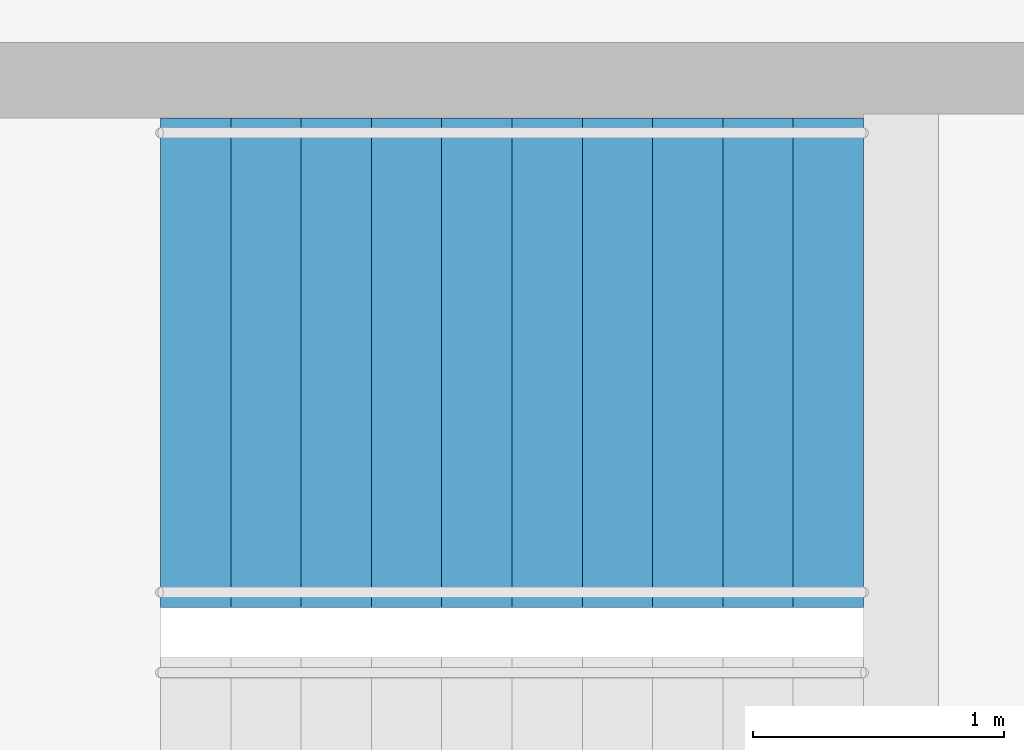
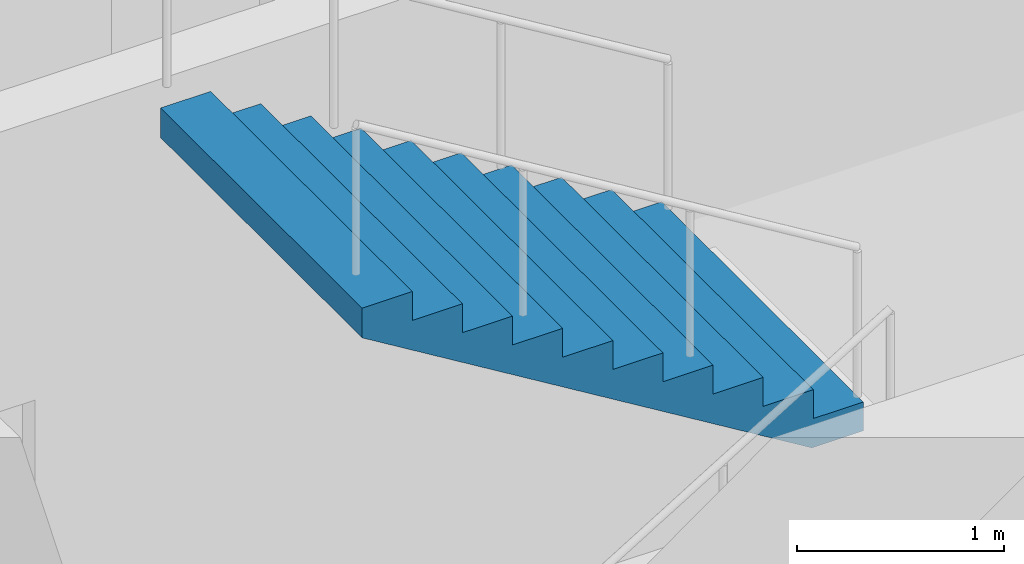
# One storey, part 21 of 24: 1 stair flight, 1 element without a shape of its own.
"""IFC4 building model written with IfcOpenShell, lengths in metres."""

from ifc_helpers import new_model, si_unit, direction, frame, origin, place, context, subcontext, project, spatial, triangles, material, type_object, element, aggregate, save


model = new_model("IFC4")

# Units and contexts
model_context = context("Model", 3, precision=1e-05, world=origin(), true_north=direction((0.0, 1.0)))
body_context = subcontext(model_context, "Body", "Model", "MODEL_VIEW")
ifc_project = project(units=[si_unit("LENGTHUNIT", "METRE"), si_unit("AREAUNIT", "SQUARE_METRE"), si_unit("VOLUMEUNIT", "CUBIC_METRE"), si_unit("PLANEANGLEUNIT", "RADIAN"), si_unit("MASSUNIT", "GRAM", prefix="KILO")], contexts=[model_context])

# Site, building, storey
site_placement = place(None, origin())
site = spatial("IfcSite", under=ifc_project, at=site_placement, CompositionType="ELEMENT")
building_placement = place(site_placement, origin())
building = spatial("IfcBuilding", under=site, at=building_placement, Name="Orbita Commons", CompositionType="ELEMENT")
storey_placement = place(building_placement, frame((0.0, 0.0, 242.800048828125)))
storey = spatial("IfcBuildingStorey", under=building, at=storey_placement, Name="L60", CompositionType="ELEMENT", Elevation=242.800048828125)

# Stair, stair flight
ifc_material_1 = material(Name="Precast concrete C40/50", Category="concrete")
stair_type = type_object("IfcStairType", Name="Exit stair S1 2 flights 11 risers 170", PredefinedType="HALF_TURN_STAIR", material=ifc_material_1)
stair_placement = place(storey_placement, origin())
stair = element("IfcStair", 1, at=stair_placement, inside=storey, type_object=stair_type, Name="Exit stair S1 L60", PredefinedType="HALF_TURN_STAIR")
ifc_material_2 = material(Name="Precast concrete C40/50", Category="concrete")
stair_flight_type = type_object("IfcStairFlightType", Name="Stair flight 11 risers 170 x 280", PredefinedType="STRAIGHT", material=ifc_material_2)
stair_flight_placement = place(storey_placement, frame((23.25, 29.27490234375, 1.875), z_axis=(0.0, 0.0, 1.0), x_axis=(-1.0, 0.0, 0.0)))
stair_flight = element("IfcStairFlight", 2, at=stair_flight_placement, type_object=stair_flight_type, Name="S1 flight 2", NumberOfRisers=11, NumberOfTreads=10, PredefinedType="STRAIGHT", RiserHeight=0.170454545, TreadLength=0.28, context=body_context, shape_type="Tessellation", body=[
    triangles([(0.0, 0.974976, 0.0), (0.0, 0.974976, 0.021307), (0.0, 0.81248, 0.021307), (0.0, 0.81248, 0.0), (0.0, 0.649984, 0.021307), (0.0, 0.649984, 0.0), (0.0, 0.487488, 0.021307), (0.0, 0.487488, 0.0), (0.0, 0.324992, 0.021307), (0.0, 0.324992, 0.0), (0.0, 0.162496, 0.021307), (0.0, 0.162496, 0.0), (0.0, 0.0, 0.021307), (0.0, 0.0, 0.0), (0.0, -0.162496, 0.021307), (0.0, -0.162496, 0.0), (0.0, -0.324992, 0.021307), (0.0, -0.324992, 0.0), (0.0, -0.487488, 0.021307), (0.0, -0.487488, 0.0), (0.0, -0.649984, 0.021307), (0.0, -0.649984, 0.0), (0.0, -0.81248, 0.021307), (0.0, -0.81248, 0.0), (0.0, -0.974976, 0.021307), (0.0, -0.974976, 0.0), (0.0, 0.974976, 0.042614), (0.0, 0.81248, 0.042614), (0.0, 0.649984, 0.042614), (0.0, 0.487488, 0.042614), (0.0, 0.324992, 0.042614), (0.0, 0.162496, 0.042614), (0.0, 0.0, 0.042614), (0.0, -0.162496, 0.042614), (0.0, -0.324992, 0.042614), (0.0, -0.487488, 0.042614), (0.0, -0.649984, 0.042614), (0.0, -0.81248, 0.042614), (0.0, -0.974976, 0.042614), (0.0, 0.974976, 0.06392), (0.0, 0.81248, 0.06392), (0.0, 0.649984, 0.06392), (0.0, 0.487488, 0.06392), (0.0, 0.324992, 0.06392), (0.0, 0.162496, 0.06392), (0.0, 0.0, 0.06392), (0.0, -0.162496, 0.06392), (0.0, -0.324992, 0.06392), (0.0, -0.487488, 0.06392), (0.0, -0.649984, 0.06392), (0.0, -0.81248, 0.06392), (0.0, -0.974976, 0.06392), (0.0, 0.974976, 0.085227), (0.0, 0.81248, 0.085227), (0.0, 0.649984, 0.085227), (0.0, 0.487488, 0.085227), (0.0, 0.324992, 0.085227), (0.0, 0.162496, 0.085227), (0.0, 0.0, 0.085227), (0.0, -0.162496, 0.085227), (0.0, -0.324992, 0.085227), (0.0, -0.487488, 0.085227), (0.0, -0.649984, 0.085227), (0.0, -0.81248, 0.085227), (0.0, -0.974976, 0.085227), (0.0, 0.974976, 0.106534), (0.0, 0.81248, 0.106534), (0.0, 0.649984, 0.106534), (0.0, 0.487488, 0.106534), (0.0, 0.324992, 0.106534), (0.0, 0.162496, 0.106534), (0.0, 0.0, 0.106534), (0.0, -0.162496, 0.106534), (0.0, -0.324992, 0.106534), (0.0, -0.487488, 0.106534), (0.0, -0.649984, 0.106534), (0.0, -0.81248, 0.106534), (0.0, -0.974976, 0.106534), (0.0, 0.974976, 0.127841), (0.0, 0.81248, 0.127841), (0.0, 0.649984, 0.127841), (0.0, 0.487488, 0.127841), (0.0, 0.324992, 0.127841), (0.0, 0.162496, 0.127841), (0.0, 0.0, 0.127841), (0.0, -0.162496, 0.127841), (0.0, -0.324992, 0.127841), (0.0, -0.487488, 0.127841), (0.0, -0.649984, 0.127841), (0.0, -0.81248, 0.127841), (0.0, -0.974976, 0.127841), (0.0, 0.974976, 0.149148), (0.0, 0.81248, 0.149148), (0.0, 0.649984, 0.149148), (0.0, 0.487488, 0.149148), (0.0, 0.324992, 0.149148), (0.0, 0.162496, 0.149148), (0.0, 0.0, 0.149148), (0.0, -0.162496, 0.149148), (0.0, -0.324992, 0.149148), (0.0, -0.487488, 0.149148), (0.0, -0.649984, 0.149148), (0.0, -0.81248, 0.149148), (0.0, -0.974976, 0.149148), (0.0, 0.974976, 0.170455), (0.0, 0.81248, 0.170455), (0.0, 0.649984, 0.170455), (0.0, 0.487488, 0.170455), (0.0, 0.324992, 0.170455), (0.0, 0.162496, 0.170455), (0.0, 0.0, 0.170455), (0.0, -0.162496, 0.170455), (0.0, -0.324992, 0.170455), (0.0, -0.487488, 0.170455), (0.0, -0.649984, 0.170455), (0.0, -0.81248, 0.170455), (0.0, -0.974976, 0.170455), (0.28, 0.974976, 0.170455), (0.28, 0.81248, 0.170455), (0.28, 0.649984, 0.170455), (0.28, 0.487488, 0.170455), (0.28, 0.324992, 0.170455), (0.28, 0.162496, 0.170455), (0.28, 0.0, 0.170455), (0.28, -0.162496, 0.170455), (0.28, -0.324992, 0.170455), (0.28, -0.487488, 0.170455), (0.28, -0.649984, 0.170455), (0.28, -0.81248, 0.170455), (0.28, -0.974976, 0.170455), (0.28, 0.974976, 0.340909), (0.28, 0.81248, 0.340909), (0.28, 0.649984, 0.340909), (0.28, 0.487488, 0.340909), (0.28, 0.324992, 0.340909), (0.28, 0.162496, 0.340909), (0.28, 0.0, 0.340909), (0.28, -0.162496, 0.340909), (0.28, -0.324992, 0.340909), (0.28, -0.487488, 0.340909), (0.28, -0.649984, 0.340909), (0.28, -0.81248, 0.340909), (0.28, -0.974976, 0.340909), (0.56, 0.974976, 0.340909), (0.56, 0.81248, 0.340909), (0.56, 0.649984, 0.340909), (0.56, 0.487488, 0.340909), (0.56, 0.324992, 0.340909), (0.56, 0.162496, 0.340909), (0.56, 0.0, 0.340909), (0.56, -0.162496, 0.340909), (0.56, -0.324992, 0.340909), (0.56, -0.487488, 0.340909), (0.56, -0.649984, 0.340909), (0.56, -0.81248, 0.340909), (0.56, -0.974976, 0.340909), (0.56, 0.974976, 0.511364), (0.56, 0.81248, 0.511364), (0.56, 0.649984, 0.511364), (0.56, 0.487488, 0.511364), (0.56, 0.324992, 0.511364), (0.56, 0.162496, 0.511364), (0.56, 0.0, 0.511364), (0.56, -0.162496, 0.511364), (0.56, -0.324992, 0.511364), (0.56, -0.487488, 0.511364), (0.56, -0.649984, 0.511364), (0.56, -0.81248, 0.511364), (0.56, -0.974976, 0.511364), (0.84, 0.974976, 0.511364), (0.84, 0.81248, 0.511364), (0.84, 0.649984, 0.511364), (0.84, 0.487488, 0.511364), (0.84, 0.324992, 0.511364), (0.84, 0.162496, 0.511364), (0.84, 0.0, 0.511364), (0.84, -0.162496, 0.511364), (0.84, -0.324992, 0.511364), (0.84, -0.487488, 0.511364), (0.84, -0.649984, 0.511364), (0.84, -0.81248, 0.511364), (0.84, -0.974976, 0.511364), (0.84, 0.974976, 0.681818), (0.84, 0.81248, 0.681818), (0.84, 0.649984, 0.681818), (0.84, 0.487488, 0.681818), (0.84, 0.324992, 0.681818), (0.84, 0.162496, 0.681818), (0.84, 0.0, 0.681818), (0.84, -0.162496, 0.681818), (0.84, -0.324992, 0.681818), (0.84, -0.487488, 0.681818), (0.84, -0.649984, 0.681818), (0.84, -0.81248, 0.681818), (0.84, -0.974976, 0.681818), (1.12, 0.974976, 0.681818), (1.12, 0.81248, 0.681818), (1.12, 0.649984, 0.681818), (1.12, 0.487488, 0.681818), (1.12, 0.324992, 0.681818), (1.12, 0.162496, 0.681818), (1.12, 0.0, 0.681818), (1.12, -0.162496, 0.681818), (1.12, -0.324992, 0.681818), (1.12, -0.487488, 0.681818), (1.12, -0.649984, 0.681818), (1.12, -0.81248, 0.681818), (1.12, -0.974976, 0.681818), (1.12, 0.974976, 0.852273), (1.12, 0.81248, 0.852273), (1.12, 0.649984, 0.852273), (1.12, 0.487488, 0.852273), (1.12, 0.324992, 0.852273), (1.12, 0.162496, 0.852273), (1.12, 0.0, 0.852273), (1.12, -0.162496, 0.852273), (1.12, -0.324992, 0.852273), (1.12, -0.487488, 0.852273), (1.12, -0.649984, 0.852273), (1.12, -0.81248, 0.852273), (1.12, -0.974976, 0.852273), (1.4, 0.974976, 0.852273), (1.4, 0.81248, 0.852273), (1.4, 0.649984, 0.852273), (1.4, 0.487488, 0.852273), (1.4, 0.324992, 0.852273), (1.4, 0.162496, 0.852273), (1.4, 0.0, 0.852273), (1.4, -0.162496, 0.852273), (1.4, -0.324992, 0.852273), (1.4, -0.487488, 0.852273), (1.4, -0.649984, 0.852273), (1.4, -0.81248, 0.852273), (1.4, -0.974976, 0.852273), (1.4, 0.974976, 1.022727), (1.4, 0.81248, 1.022727), (1.4, 0.649984, 1.022727), (1.4, 0.487488, 1.022727), (1.4, 0.324992, 1.022727), (1.4, 0.162496, 1.022727), (1.4, 0.0, 1.022727), (1.4, -0.162496, 1.022727), (1.4, -0.324992, 1.022727), (1.4, -0.487488, 1.022727), (1.4, -0.649984, 1.022727), (1.4, -0.81248, 1.022727), (1.4, -0.974976, 1.022727), (1.68, 0.974976, 1.022727), (1.68, 0.81248, 1.022727), (1.68, 0.649984, 1.022727), (1.68, 0.487488, 1.022727), (1.68, 0.324992, 1.022727), (1.68, 0.162496, 1.022727), (1.68, 0.0, 1.022727), (1.68, -0.162496, 1.022727), (1.68, -0.324992, 1.022727), (1.68, -0.487488, 1.022727), (1.68, -0.649984, 1.022727), (1.68, -0.81248, 1.022727), (1.68, -0.974976, 1.022727), (1.68, 0.974976, 1.193182), (1.68, 0.81248, 1.193182), (1.68, 0.649984, 1.193182), (1.68, 0.487488, 1.193182), (1.68, 0.324992, 1.193182), (1.68, 0.162496, 1.193182), (1.68, 0.0, 1.193182), (1.68, -0.162496, 1.193182), (1.68, -0.324992, 1.193182), (1.68, -0.487488, 1.193182), (1.68, -0.649984, 1.193182), (1.68, -0.81248, 1.193182), (1.68, -0.974976, 1.193182), (1.96, 0.974976, 1.193182), (1.96, 0.81248, 1.193182), (1.96, 0.649984, 1.193182), (1.96, 0.487488, 1.193182), (1.96, 0.324992, 1.193182), (1.96, 0.162496, 1.193182), (1.96, 0.0, 1.193182), (1.96, -0.162496, 1.193182), (1.96, -0.324992, 1.193182), (1.96, -0.487488, 1.193182), (1.96, -0.649984, 1.193182), (1.96, -0.81248, 1.193182), (1.96, -0.974976, 1.193182), (1.96, 0.974976, 1.363636), (1.96, 0.81248, 1.363636), (1.96, 0.649984, 1.363636), (1.96, 0.487488, 1.363636), (1.96, 0.324992, 1.363636), (1.96, 0.162496, 1.363636), (1.96, 0.0, 1.363636), (1.96, -0.162496, 1.363636), (1.96, -0.324992, 1.363636), (1.96, -0.487488, 1.363636), (1.96, -0.649984, 1.363636), (1.96, -0.81248, 1.363636), (1.96, -0.974976, 1.363636), (2.24, 0.974976, 1.363636), (2.24, 0.81248, 1.363636), (2.24, 0.649984, 1.363636), (2.24, 0.487488, 1.363636), (2.24, 0.324992, 1.363636), (2.24, 0.162496, 1.363636), (2.24, 0.0, 1.363636), (2.24, -0.162496, 1.363636), (2.24, -0.324992, 1.363636), (2.24, -0.487488, 1.363636), (2.24, -0.649984, 1.363636), (2.24, -0.81248, 1.363636), (2.24, -0.974976, 1.363636), (2.24, 0.974976, 1.534091), (2.24, 0.81248, 1.534091), (2.24, 0.649984, 1.534091), (2.24, 0.487488, 1.534091), (2.24, 0.324992, 1.534091), (2.24, 0.162496, 1.534091), (2.24, 0.0, 1.534091), (2.24, -0.162496, 1.534091), (2.24, -0.324992, 1.534091), (2.24, -0.487488, 1.534091), (2.24, -0.649984, 1.534091), (2.24, -0.81248, 1.534091), (2.24, -0.974976, 1.534091), (2.52, 0.974976, 1.534091), (2.52, 0.81248, 1.534091), (2.52, 0.649984, 1.534091), (2.52, 0.487488, 1.534091), (2.52, 0.324992, 1.534091), (2.52, 0.162496, 1.534091), (2.52, 0.0, 1.534091), (2.52, -0.162496, 1.534091), (2.52, -0.324992, 1.534091), (2.52, -0.487488, 1.534091), (2.52, -0.649984, 1.534091), (2.52, -0.81248, 1.534091), (2.52, -0.974976, 1.534091), (2.52, 0.974976, 1.704545), (2.52, 0.81248, 1.704545), (2.52, 0.649984, 1.704545), (2.52, 0.487488, 1.704545), (2.52, 0.324992, 1.704545), (2.52, 0.162496, 1.704545), (2.52, 0.0, 1.704545), (2.52, -0.162496, 1.704545), (2.52, -0.324992, 1.704545), (2.52, -0.487488, 1.704545), (2.52, -0.649984, 1.704545), (2.52, -0.81248, 1.704545), (2.52, -0.974976, 1.704545), (2.8, 0.974976, 1.704545), (2.8, 0.81248, 1.704545), (2.8, 0.649984, 1.704545), (2.8, 0.487488, 1.704545), (2.8, 0.324992, 1.704545), (2.8, 0.162496, 1.704545), (2.8, 0.0, 1.704545), (2.8, -0.162496, 1.704545), (2.8, -0.324992, 1.704545), (2.8, -0.487488, 1.704545), (2.8, -0.649984, 1.704545), (2.8, -0.81248, 1.704545), (2.8, -0.974976, 1.704545), (2.8, 0.974976, 1.682609), (2.8, 0.81248, 1.682609), (2.8, 0.649984, 1.682609), (2.8, 0.487488, 1.682609), (2.8, 0.324992, 1.682609), (2.8, 0.162496, 1.682609), (2.8, 0.0, 1.682609), (2.8, -0.162496, 1.682609), (2.8, -0.324992, 1.682609), (2.8, -0.487488, 1.682609), (2.8, -0.649984, 1.682609), (2.8, -0.81248, 1.682609), (2.8, -0.974976, 1.682609), (2.8, 0.974976, 1.660672), (2.8, 0.81248, 1.660672), (2.8, 0.649984, 1.660672), (2.8, 0.487488, 1.660672), (2.8, 0.324992, 1.660672), (2.8, 0.162496, 1.660672), (2.8, 0.0, 1.660672), (2.8, -0.162496, 1.660672), (2.8, -0.324992, 1.660672), (2.8, -0.487488, 1.660672), (2.8, -0.649984, 1.660672), (2.8, -0.81248, 1.660672), (2.8, -0.974976, 1.660672), (2.8, 0.974976, 1.638735), (2.8, 0.81248, 1.638735), (2.8, 0.649984, 1.638735), (2.8, 0.487488, 1.638735), (2.8, 0.324992, 1.638735), (2.8, 0.162496, 1.638735), (2.8, 0.0, 1.638735), (2.8, -0.162496, 1.638735), (2.8, -0.324992, 1.638735), (2.8, -0.487488, 1.638735), (2.8, -0.649984, 1.638735), (2.8, -0.81248, 1.638735), (2.8, -0.974976, 1.638735), (2.8, 0.974976, 1.616798), (2.8, 0.81248, 1.616798), (2.8, 0.649984, 1.616798), (2.8, 0.487488, 1.616798), (2.8, 0.324992, 1.616798), (2.8, 0.162496, 1.616798), (2.8, 0.0, 1.616798), (2.8, -0.162496, 1.616798), (2.8, -0.324992, 1.616798), (2.8, -0.487488, 1.616798), (2.8, -0.649984, 1.616798), (2.8, -0.81248, 1.616798), (2.8, -0.974976, 1.616798), (2.8, 0.974976, 1.594861), (2.8, 0.81248, 1.594861), (2.8, 0.649984, 1.594861), (2.8, 0.487488, 1.594861), (2.8, 0.324992, 1.594861), (2.8, 0.162496, 1.594861), (2.8, 0.0, 1.594861), (2.8, -0.162496, 1.594861), (2.8, -0.324992, 1.594861), (2.8, -0.487488, 1.594861), (2.8, -0.649984, 1.594861), (2.8, -0.81248, 1.594861), (2.8, -0.974976, 1.594861), (2.8, 0.974976, 1.572925), (2.8, 0.81248, 1.572925), (2.8, 0.649984, 1.572925), (2.8, 0.487488, 1.572925), (2.8, 0.324992, 1.572925), (2.8, 0.162496, 1.572925), (2.8, 0.0, 1.572925), (2.8, -0.162496, 1.572925), (2.8, -0.324992, 1.572925), (2.8, -0.487488, 1.572925), (2.8, -0.649984, 1.572925), (2.8, -0.81248, 1.572925), (2.8, -0.974976, 1.572925), (2.8, 0.974976, 1.550988), (2.8, 0.81248, 1.550988), (2.8, 0.649984, 1.550988), (2.8, 0.487488, 1.550988), (2.8, 0.324992, 1.550988), (2.8, 0.162496, 1.550988), (2.8, 0.0, 1.550988), (2.8, -0.162496, 1.550988), (2.8, -0.324992, 1.550988), (2.8, -0.487488, 1.550988), (2.8, -0.649984, 1.550988), (2.8, -0.81248, 1.550988), (2.8, -0.974976, 1.550988), (2.8, 0.974976, 1.529051), (2.8, 0.81248, 1.529051), (2.8, 0.649984, 1.529051), (2.8, 0.487488, 1.529051), (2.8, 0.324992, 1.529051), (2.8, 0.162496, 1.529051), (2.8, 0.0, 1.529051), (2.8, -0.162496, 1.529051), (2.8, -0.324992, 1.529051), (2.8, -0.487488, 1.529051), (2.8, -0.649984, 1.529051), (2.8, -0.81248, 1.529051), (2.8, -0.974976, 1.529051), (0.288279, 0.974976, 0.0), (0.288279, 0.81248, 0.0), (0.288279, 0.649984, 0.0), (0.288279, 0.487488, 0.0), (0.288279, 0.324992, 0.0), (0.288279, 0.162496, 0.0), (0.288279, 0.0, 0.0), (0.288279, -0.162496, 0.0), (0.288279, -0.324992, 0.0), (0.288279, -0.487488, 0.0), (0.288279, -0.649984, 0.0), (0.288279, -0.81248, 0.0), (0.288279, -0.974976, 0.0)], [[3, 2, 1], [4, 3, 1], [5, 3, 4], [6, 5, 4], [7, 5, 6], [8, 7, 6], [9, 7, 8], [10, 9, 8], [11, 9, 10], [12, 11, 10], [13, 11, 12], [14, 13, 12], [15, 13, 14], [16, 15, 14], [17, 15, 16], [18, 17, 16], [19, 17, 18], [20, 19, 18], [21, 19, 20], [22, 21, 20], [23, 21, 22], [24, 23, 22], [25, 23, 24], [26, 25, 24], [28, 27, 2], [3, 28, 2], [29, 28, 3], [5, 29, 3], [30, 29, 5], [7, 30, 5], [31, 30, 7], [9, 31, 7], [32, 31, 9], [11, 32, 9], [33, 32, 11], [13, 33, 11], [34, 33, 13], [15, 34, 13], [35, 34, 15], [17, 35, 15], [36, 35, 17], [19, 36, 17], [37, 36, 19], [21, 37, 19], [38, 37, 21], [23, 38, 21], [39, 38, 23], [25, 39, 23], [41, 40, 27], [28, 41, 27], [42, 41, 28], [29, 42, 28], [43, 42, 29], [30, 43, 29], [44, 43, 30], [31, 44, 30], [45, 44, 31], [32, 45, 31], [46, 45, 32], [33, 46, 32], [47, 46, 33], [34, 47, 33], [48, 47, 34], [35, 48, 34], [49, 48, 35], [36, 49, 35], [50, 49, 36], [37, 50, 36], [51, 50, 37], [38, 51, 37], [52, 51, 38], [39, 52, 38], [54, 53, 40], [41, 54, 40], [55, 54, 41], [42, 55, 41], [56, 55, 42], [43, 56, 42], [57, 56, 43], [44, 57, 43], [58, 57, 44], [45, 58, 44], [59, 58, 45], [46, 59, 45], [60, 59, 46], [47, 60, 46], [61, 60, 47], [48, 61, 47], [62, 61, 48], [49, 62, 48], [63, 62, 49], [50, 63, 49], [64, 63, 50], [51, 64, 50], [65, 64, 51], [52, 65, 51], [67, 66, 53], [54, 67, 53], [68, 67, 54], [55, 68, 54], [69, 68, 55], [56, 69, 55], [70, 69, 56], [57, 70, 56], [71, 70, 57], [58, 71, 57], [72, 71, 58], [59, 72, 58], [73, 72, 59], [60, 73, 59], [74, 73, 60], [61, 74, 60], [75, 74, 61], [62, 75, 61], [76, 75, 62], [63, 76, 62], [77, 76, 63], [64, 77, 63], [78, 77, 64], [65, 78, 64], [80, 79, 66], [67, 80, 66], [81, 80, 67], [68, 81, 67], [82, 81, 68], [69, 82, 68], [83, 82, 69], [70, 83, 69], [84, 83, 70], [71, 84, 70], [85, 84, 71], [72, 85, 71], [86, 85, 72], [73, 86, 72], [87, 86, 73], [74, 87, 73], [88, 87, 74], [75, 88, 74], [89, 88, 75], [76, 89, 75], [90, 89, 76], [77, 90, 76], [91, 90, 77], [78, 91, 77], [93, 92, 79], [80, 93, 79], [94, 93, 80], [81, 94, 80], [95, 94, 81], [82, 95, 81], [96, 95, 82], [83, 96, 82], [97, 96, 83], [84, 97, 83], [98, 97, 84], [85, 98, 84], [99, 98, 85], [86, 99, 85], [100, 99, 86], [87, 100, 86], [101, 100, 87], [88, 101, 87], [102, 101, 88], [89, 102, 88], [103, 102, 89], [90, 103, 89], [104, 103, 90], [91, 104, 90], [106, 105, 92], [93, 106, 92], [107, 106, 93], [94, 107, 93], [108, 107, 94], [95, 108, 94], [109, 108, 95], [96, 109, 95], [110, 109, 96], [97, 110, 96], [111, 110, 97], [98, 111, 97], [112, 111, 98], [99, 112, 98], [113, 112, 99], [100, 113, 99], [114, 113, 100], [101, 114, 100], [115, 114, 101], [102, 115, 101], [116, 115, 102], [103, 116, 102], [117, 116, 103], [104, 117, 103], [119, 118, 105], [106, 119, 105], [120, 119, 106], [107, 120, 106], [121, 120, 107], [108, 121, 107], [122, 121, 108], [109, 122, 108], [123, 122, 109], [110, 123, 109], [124, 123, 110], [111, 124, 110], [125, 124, 111], [112, 125, 111], [126, 125, 112], [113, 126, 112], [127, 126, 113], [114, 127, 113], [128, 127, 114], [115, 128, 114], [129, 128, 115], [116, 129, 115], [130, 129, 116], [117, 130, 116], [132, 131, 118], [119, 132, 118], [133, 132, 119], [120, 133, 119], [134, 133, 120], [121, 134, 120], [135, 134, 121], [122, 135, 121], [136, 135, 122], [123, 136, 122], [137, 136, 123], [124, 137, 123], [138, 137, 124], [125, 138, 124], [139, 138, 125], [126, 139, 125], [140, 139, 126], [127, 140, 126], [141, 140, 127], [128, 141, 127], [142, 141, 128], [129, 142, 128], [143, 142, 129], [130, 143, 129], [145, 144, 131], [132, 145, 131], [146, 145, 132], [133, 146, 132], [147, 146, 133], [134, 147, 133], [148, 147, 134], [135, 148, 134], [149, 148, 135], [136, 149, 135], [150, 149, 136], [137, 150, 136], [151, 150, 137], [138, 151, 137], [152, 151, 138], [139, 152, 138], [153, 152, 139], [140, 153, 139], [154, 153, 140], [141, 154, 140], [155, 154, 141], [142, 155, 141], [156, 155, 142], [143, 156, 142], [158, 157, 144], [145, 158, 144], [159, 158, 145], [146, 159, 145], [160, 159, 146], [147, 160, 146], [161, 160, 147], [148, 161, 147], [162, 161, 148], [149, 162, 148], [163, 162, 149], [150, 163, 149], [164, 163, 150], [151, 164, 150], [165, 164, 151], [152, 165, 151], [166, 165, 152], [153, 166, 152], [167, 166, 153], [154, 167, 153], [168, 167, 154], [155, 168, 154], [169, 168, 155], [156, 169, 155], [171, 170, 157], [158, 171, 157], [172, 171, 158], [159, 172, 158], [173, 172, 159], [160, 173, 159], [174, 173, 160], [161, 174, 160], [175, 174, 161], [162, 175, 161], [176, 175, 162], [163, 176, 162], [177, 176, 163], [164, 177, 163], [178, 177, 164], [165, 178, 164], [179, 178, 165], [166, 179, 165], [180, 179, 166], [167, 180, 166], [181, 180, 167], [168, 181, 167], [182, 181, 168], [169, 182, 168], [184, 183, 170], [171, 184, 170], [185, 184, 171], [172, 185, 171], [186, 185, 172], [173, 186, 172], [187, 186, 173], [174, 187, 173], [188, 187, 174], [175, 188, 174], [189, 188, 175], [176, 189, 175], [190, 189, 176], [177, 190, 176], [191, 190, 177], [178, 191, 177], [192, 191, 178], [179, 192, 178], [193, 192, 179], [180, 193, 179], [194, 193, 180], [181, 194, 180], [195, 194, 181], [182, 195, 181], [197, 196, 183], [184, 197, 183], [198, 197, 184], [185, 198, 184], [199, 198, 185], [186, 199, 185], [200, 199, 186], [187, 200, 186], [201, 200, 187], [188, 201, 187], [202, 201, 188], [189, 202, 188], [203, 202, 189], [190, 203, 189], [204, 203, 190], [191, 204, 190], [205, 204, 191], [192, 205, 191], [206, 205, 192], [193, 206, 192], [207, 206, 193], [194, 207, 193], [208, 207, 194], [195, 208, 194], [210, 209, 196], [197, 210, 196], [211, 210, 197], [198, 211, 197], [212, 211, 198], [199, 212, 198], [213, 212, 199], [200, 213, 199], [214, 213, 200], [201, 214, 200], [215, 214, 201], [202, 215, 201], [216, 215, 202], [203, 216, 202], [217, 216, 203], [204, 217, 203], [218, 217, 204], [205, 218, 204], [219, 218, 205], [206, 219, 205], [220, 219, 206], [207, 220, 206], [221, 220, 207], [208, 221, 207], [223, 222, 209], [210, 223, 209], [224, 223, 210], [211, 224, 210], [225, 224, 211], [212, 225, 211], [226, 225, 212], [213, 226, 212], [227, 226, 213], [214, 227, 213], [228, 227, 214], [215, 228, 214], [229, 228, 215], [216, 229, 215], [230, 229, 216], [217, 230, 216], [231, 230, 217], [218, 231, 217], [232, 231, 218], [219, 232, 218], [233, 232, 219], [220, 233, 219], [234, 233, 220], [221, 234, 220], [236, 235, 222], [223, 236, 222], [237, 236, 223], [224, 237, 223], [238, 237, 224], [225, 238, 224], [239, 238, 225], [226, 239, 225], [240, 239, 226], [227, 240, 226], [241, 240, 227], [228, 241, 227], [242, 241, 228], [229, 242, 228], [243, 242, 229], [230, 243, 229], [244, 243, 230], [231, 244, 230], [245, 244, 231], [232, 245, 231], [246, 245, 232], [233, 246, 232], [247, 246, 233], [234, 247, 233], [249, 248, 235], [236, 249, 235], [250, 249, 236], [237, 250, 236], [251, 250, 237], [238, 251, 237], [252, 251, 238], [239, 252, 238], [253, 252, 239], [240, 253, 239], [254, 253, 240], [241, 254, 240], [255, 254, 241], [242, 255, 241], [256, 255, 242], [243, 256, 242], [257, 256, 243], [244, 257, 243], [258, 257, 244], [245, 258, 244], [259, 258, 245], [246, 259, 245], [260, 259, 246], [247, 260, 246], [262, 261, 248], [249, 262, 248], [263, 262, 249], [250, 263, 249], [264, 263, 250], [251, 264, 250], [265, 264, 251], [252, 265, 251], [266, 265, 252], [253, 266, 252], [267, 266, 253], [254, 267, 253], [268, 267, 254], [255, 268, 254], [269, 268, 255], [256, 269, 255], [270, 269, 256], [257, 270, 256], [271, 270, 257], [258, 271, 257], [272, 271, 258], [259, 272, 258], [273, 272, 259], [260, 273, 259], [275, 274, 261], [262, 275, 261], [276, 275, 262], [263, 276, 262], [277, 276, 263], [264, 277, 263], [278, 277, 264], [265, 278, 264], [279, 278, 265], [266, 279, 265], [280, 279, 266], [267, 280, 266], [281, 280, 267], [268, 281, 267], [282, 281, 268], [269, 282, 268], [283, 282, 269], [270, 283, 269], [284, 283, 270], [271, 284, 270], [285, 284, 271], [272, 285, 271], [286, 285, 272], [273, 286, 272], [288, 287, 274], [275, 288, 274], [289, 288, 275], [276, 289, 275], [290, 289, 276], [277, 290, 276], [291, 290, 277], [278, 291, 277], [292, 291, 278], [279, 292, 278], [293, 292, 279], [280, 293, 279], [294, 293, 280], [281, 294, 280], [295, 294, 281], [282, 295, 281], [296, 295, 282], [283, 296, 282], [297, 296, 283], [284, 297, 283], [298, 297, 284], [285, 298, 284], [299, 298, 285], [286, 299, 285], [301, 300, 287], [288, 301, 287], [302, 301, 288], [289, 302, 288], [303, 302, 289], [290, 303, 289], [304, 303, 290], [291, 304, 290], [305, 304, 291], [292, 305, 291], [306, 305, 292], [293, 306, 292], [307, 306, 293], [294, 307, 293], [308, 307, 294], [295, 308, 294], [309, 308, 295], [296, 309, 295], [310, 309, 296], [297, 310, 296], [311, 310, 297], [298, 311, 297], [312, 311, 298], [299, 312, 298], [314, 313, 300], [301, 314, 300], [315, 314, 301], [302, 315, 301], [316, 315, 302], [303, 316, 302], [317, 316, 303], [304, 317, 303], [318, 317, 304], [305, 318, 304], [319, 318, 305], [306, 319, 305], [320, 319, 306], [307, 320, 306], [321, 320, 307], [308, 321, 307], [322, 321, 308], [309, 322, 308], [323, 322, 309], [310, 323, 309], [324, 323, 310], [311, 324, 310], [325, 324, 311], [312, 325, 311], [327, 326, 313], [314, 327, 313], [328, 327, 314], [315, 328, 314], [329, 328, 315], [316, 329, 315], [330, 329, 316], [317, 330, 316], [331, 330, 317], [318, 331, 317], [332, 331, 318], [319, 332, 318], [333, 332, 319], [320, 333, 319], [334, 333, 320], [321, 334, 320], [335, 334, 321], [322, 335, 321], [336, 335, 322], [323, 336, 322], [337, 336, 323], [324, 337, 323], [338, 337, 324], [325, 338, 324], [340, 339, 326], [327, 340, 326], [341, 340, 327], [328, 341, 327], [342, 341, 328], [329, 342, 328], [343, 342, 329], [330, 343, 329], [344, 343, 330], [331, 344, 330], [345, 344, 331], [332, 345, 331], [346, 345, 332], [333, 346, 332], [347, 346, 333], [334, 347, 333], [348, 347, 334], [335, 348, 334], [349, 348, 335], [336, 349, 335], [350, 349, 336], [337, 350, 336], [351, 350, 337], [338, 351, 337], [353, 352, 339], [340, 353, 339], [354, 353, 340], [341, 354, 340], [355, 354, 341], [342, 355, 341], [356, 355, 342], [343, 356, 342], [357, 356, 343], [344, 357, 343], [358, 357, 344], [345, 358, 344], [359, 358, 345], [346, 359, 345], [360, 359, 346], [347, 360, 346], [361, 360, 347], [348, 361, 347], [362, 361, 348], [349, 362, 348], [363, 362, 349], [350, 363, 349], [364, 363, 350], [351, 364, 350], [366, 365, 352], [353, 366, 352], [367, 366, 353], [354, 367, 353], [368, 367, 354], [355, 368, 354], [369, 368, 355], [356, 369, 355], [370, 369, 356], [357, 370, 356], [371, 370, 357], [358, 371, 357], [372, 371, 358], [359, 372, 358], [373, 372, 359], [360, 373, 359], [374, 373, 360], [361, 374, 360], [375, 374, 361], [362, 375, 361], [376, 375, 362], [363, 376, 362], [377, 376, 363], [364, 377, 363], [379, 378, 365], [366, 379, 365], [380, 379, 366], [367, 380, 366], [381, 380, 367], [368, 381, 367], [382, 381, 368], [369, 382, 368], [383, 382, 369], [370, 383, 369], [384, 383, 370], [371, 384, 370], [385, 384, 371], [372, 385, 371], [386, 385, 372], [373, 386, 372], [387, 386, 373], [374, 387, 373], [388, 387, 374], [375, 388, 374], [389, 388, 375], [376, 389, 375], [390, 389, 376], [377, 390, 376], [392, 391, 378], [379, 392, 378], [393, 392, 379], [380, 393, 379], [394, 393, 380], [381, 394, 380], [395, 394, 381], [382, 395, 381], [396, 395, 382], [383, 396, 382], [397, 396, 383], [384, 397, 383], [398, 397, 384], [385, 398, 384], [399, 398, 385], [386, 399, 385], [400, 399, 386], [387, 400, 386], [401, 400, 387], [388, 401, 387], [402, 401, 388], [389, 402, 388], [403, 402, 389], [390, 403, 389], [405, 404, 391], [392, 405, 391], [406, 405, 392], [393, 406, 392], [407, 406, 393], [394, 407, 393], [408, 407, 394], [395, 408, 394], [409, 408, 395], [396, 409, 395], [410, 409, 396], [397, 410, 396], [411, 410, 397], [398, 411, 397], [412, 411, 398], [399, 412, 398], [413, 412, 399], [400, 413, 399], [414, 413, 400], [401, 414, 400], [415, 414, 401], [402, 415, 401], [416, 415, 402], [403, 416, 402], [418, 417, 404], [405, 418, 404], [419, 418, 405], [406, 419, 405], [420, 419, 406], [407, 420, 406], [421, 420, 407], [408, 421, 407], [422, 421, 408], [409, 422, 408], [423, 422, 409], [410, 423, 409], [424, 423, 410], [411, 424, 410], [425, 424, 411], [412, 425, 411], [426, 425, 412], [413, 426, 412], [427, 426, 413], [414, 427, 413], [428, 427, 414], [415, 428, 414], [429, 428, 415], [416, 429, 415], [431, 430, 417], [418, 431, 417], [432, 431, 418], [419, 432, 418], [433, 432, 419], [420, 433, 419], [434, 433, 420], [421, 434, 420], [435, 434, 421], [422, 435, 421], [436, 435, 422], [423, 436, 422], [437, 436, 423], [424, 437, 423], [438, 437, 424], [425, 438, 424], [439, 438, 425], [426, 439, 425], [440, 439, 426], [427, 440, 426], [441, 440, 427], [428, 441, 427], [442, 441, 428], [429, 442, 428], [444, 443, 430], [431, 444, 430], [445, 444, 431], [432, 445, 431], [446, 445, 432], [433, 446, 432], [447, 446, 433], [434, 447, 433], [448, 447, 434], [435, 448, 434], [449, 448, 435], [436, 449, 435], [450, 449, 436], [437, 450, 436], [451, 450, 437], [438, 451, 437], [452, 451, 438], [439, 452, 438], [453, 452, 439], [440, 453, 439], [454, 453, 440], [441, 454, 440], [455, 454, 441], [442, 455, 441], [457, 456, 443], [444, 457, 443], [458, 457, 444], [445, 458, 444], [459, 458, 445], [446, 459, 445], [460, 459, 446], [447, 460, 446], [461, 460, 447], [448, 461, 447], [462, 461, 448], [449, 462, 448], [463, 462, 449], [450, 463, 449], [464, 463, 450], [451, 464, 450], [465, 464, 451], [452, 465, 451], [466, 465, 452], [453, 466, 452], [467, 466, 453], [454, 467, 453], [468, 467, 454], [455, 468, 454], [470, 469, 456], [457, 470, 456], [471, 470, 457], [458, 471, 457], [472, 471, 458], [459, 472, 458], [473, 472, 459], [460, 473, 459], [474, 473, 460], [461, 474, 460], [475, 474, 461], [462, 475, 461], [476, 475, 462], [463, 476, 462], [477, 476, 463], [464, 477, 463], [478, 477, 464], [465, 478, 464], [479, 478, 465], [466, 479, 465], [480, 479, 466], [467, 480, 466], [481, 480, 467], [468, 481, 467], [4, 1, 469], [470, 4, 469], [6, 4, 470], [471, 6, 470], [8, 6, 471], [472, 8, 471], [10, 8, 472], [473, 10, 472], [12, 10, 473], [474, 12, 473], [14, 12, 474], [475, 14, 474], [16, 14, 475], [476, 16, 475], [18, 16, 476], [477, 18, 476], [20, 18, 477], [478, 20, 477], [22, 20, 478], [479, 22, 478], [24, 22, 479], [480, 24, 479], [26, 24, 480], [481, 26, 480], [456, 469, 1], [26, 481, 468], [443, 456, 1], [26, 468, 455], [430, 443, 1], [26, 455, 442], [417, 430, 1], [26, 442, 429], [404, 417, 1], [26, 429, 416], [391, 404, 1], [26, 416, 403], [378, 391, 1], [26, 403, 390], [365, 378, 1], [26, 390, 377], [339, 352, 365], [377, 364, 351], [326, 339, 365], [377, 351, 338], [300, 313, 326], [338, 325, 312], [300, 326, 365], [377, 338, 312], [274, 287, 300], [312, 299, 286], [274, 300, 365], [377, 312, 286], [248, 261, 274], [286, 273, 260], [248, 274, 365], [377, 286, 260], [222, 235, 248], [260, 247, 234], [222, 248, 365], [377, 260, 234], [196, 209, 222], [234, 221, 208], [196, 222, 365], [377, 234, 208], [170, 183, 196], [208, 195, 182], [170, 196, 365], [377, 208, 182], [144, 157, 170], [182, 169, 156], [144, 170, 365], [377, 182, 156], [118, 131, 144], [156, 143, 130], [118, 144, 365], [377, 156, 130], [118, 365, 1], [26, 377, 130], [92, 105, 118], [130, 117, 104], [79, 92, 118], [130, 104, 91], [66, 79, 118], [130, 91, 78], [53, 66, 118], [130, 78, 65], [40, 53, 118], [130, 65, 52], [27, 40, 118], [130, 52, 39], [2, 27, 118], [130, 39, 25], [1, 2, 118], [130, 25, 26]], closed=True),
])
aggregate(stair, [stair_flight])

save(model, "model.ifc")
